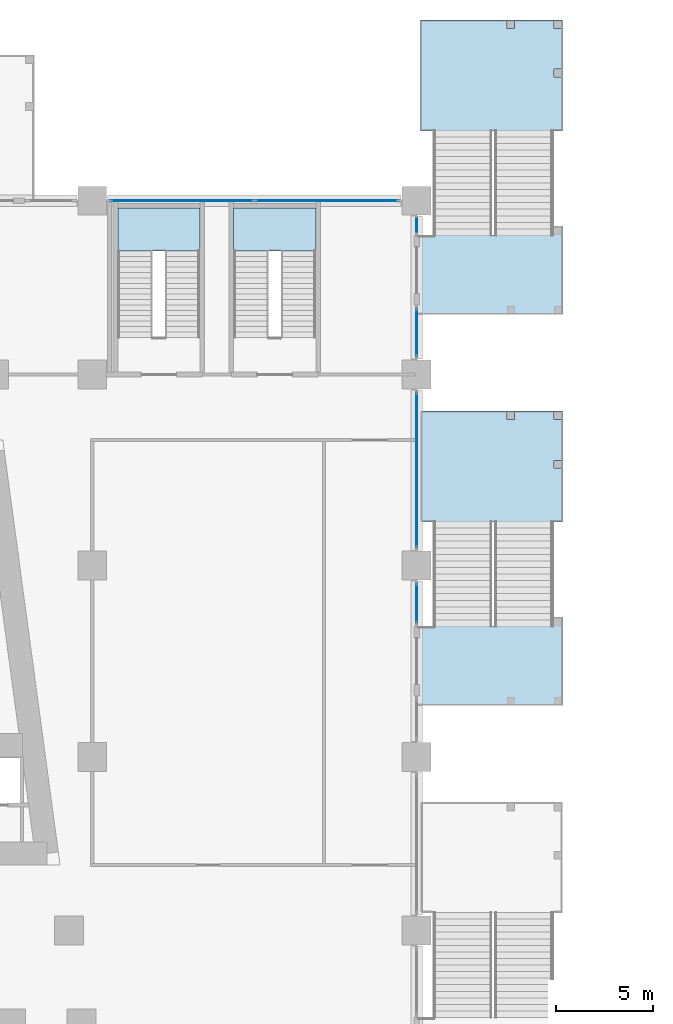
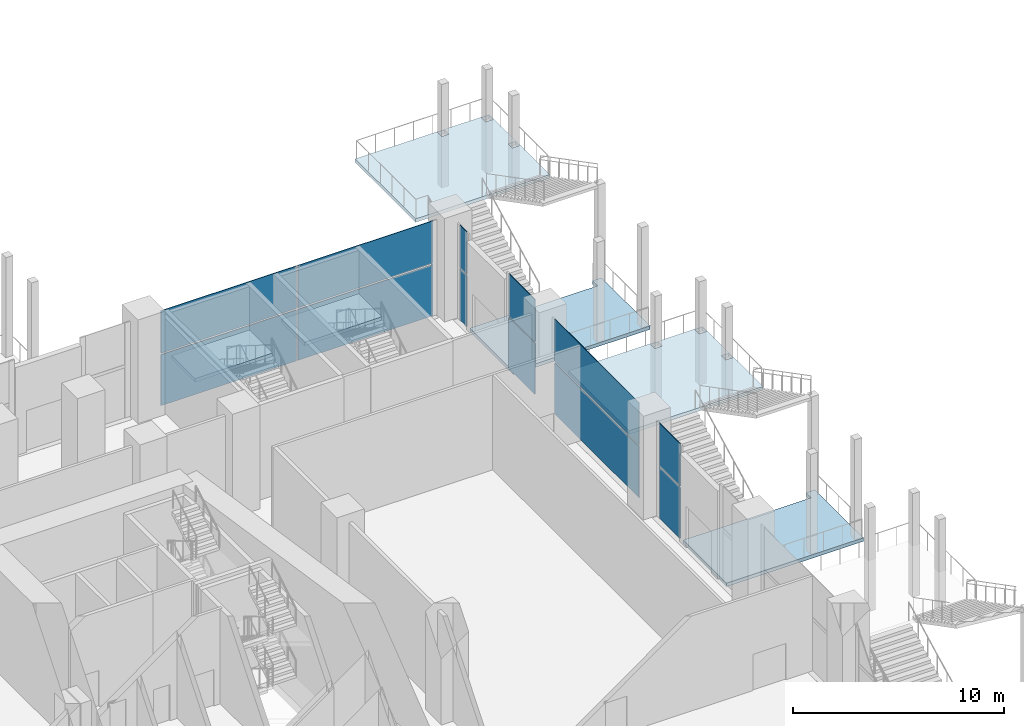
# One storey, part 20 of 49: 12 plates, 6 slabs, 9 elements without a shape of their own.
"""IFC4 building model written with IfcOpenShell, lengths in metres."""

from ifc_helpers import new_model, si_unit, direction, frame, origin, origin_2d, place, context, subcontext, project, spatial, polyline, rectangle, outline, extrude, material, layer, layer_set, type_object, element, aggregate, save


model = new_model("IFC4")

# Units and contexts
model_context = context("Model", 3, precision=1e-05, world=origin(), true_north=direction((0.0, 1.0)))
body_context = subcontext(model_context, "Body", "Model", "MODEL_VIEW")
ifc_project = project(units=[si_unit("LENGTHUNIT", "METRE"), si_unit("AREAUNIT", "SQUARE_METRE"), si_unit("VOLUMEUNIT", "CUBIC_METRE"), si_unit("PLANEANGLEUNIT", "RADIAN"), si_unit("MASSUNIT", "GRAM", prefix="KILO")], contexts=[model_context])

# Site, building, storey
site_placement = place(None, origin())
site = spatial("IfcSite", under=ifc_project, at=site_placement, CompositionType="ELEMENT")
building_placement = place(site_placement, origin())
building = spatial("IfcBuilding", under=site, at=building_placement, Name="Candeia Pilgrim Tower and Theatre", CompositionType="ELEMENT")
storey_placement = place(building_placement, frame((0.0, 0.0, 17.0)))
storey = spatial("IfcBuildingStorey", under=building, at=storey_placement, Name="L02", CompositionType="ELEMENT", Elevation=17.0)

# Curtain wall, plates
ifc_material_1 = material(Name="Aluminium framed podium glazing", Category="aluminium")
curtain_wall_type = type_object("IfcCurtainWallType", Name="CW-P curtain wall", PredefinedType="NOTDEFINED", material=ifc_material_1)
curtain_wall_1_placement = place(storey_placement, origin())
curtain_wall_1 = element("IfcCurtainWall", 1, at=curtain_wall_1_placement, inside=storey, type_object=curtain_wall_type, Name="Curtain wall CW-P L02.170", PredefinedType="NOTDEFINED")
ifc_material_2 = material(Name="Laminated low-iron glass 2 x 8 mm", Category="glass")
ifc_layer_1 = layer(ifc_material_2, 0.035888671875)
ifc_layer_set_1 = layer_set([ifc_layer_1], Name="CW-P glass panel 36")
plate_type = type_object("IfcPlateType", Name="CW-P glass panel 36", PredefinedType="CURTAIN_PANEL", material=ifc_layer_set_1)
plate_1_placement = place(storey_placement, frame((147.449951171875, 144.800048828125, 0.0), z_axis=(0.0, 0.0, 1.0), x_axis=(1.0, 0.0, 0.0)))
plate_1 = element("IfcPlate", 2, at=plate_1_placement, type_object=plate_type, Name="CW-P panel 1.1", PredefinedType="CURTAIN_PANEL", context=body_context, shape_type="SweptSolid", body=[
    extrude(rectangle(XDim=7.419921875, YDim=0.035888671875, at=origin_2d()), origin(), (0.0, 0.0, 1.0), 2.9599609375),
])
plate_2_placement = place(storey_placement, frame((147.449951171875, 144.800048828125, 3.0400390625), z_axis=(0.0, 0.0, 1.0), x_axis=(1.0, 0.0, 0.0)))
plate_2 = element("IfcPlate", 3, at=plate_2_placement, type_object=plate_type, Name="CW-P panel 1.2", PredefinedType="CURTAIN_PANEL", context=body_context, shape_type="SweptSolid", body=[
    extrude(rectangle(XDim=7.419921875, YDim=0.035888671875, at=origin_2d()), origin(), (0.0, 0.0, 1.0), 2.4599609375),
])
plate_3_placement = place(storey_placement, frame((154.949951171875, 144.800048828125, 0.0), z_axis=(0.0, 0.0, 1.0), x_axis=(1.0, 0.0, 0.0)))
plate_3 = element("IfcPlate", 4, at=plate_3_placement, type_object=plate_type, Name="CW-P panel 2.1", PredefinedType="CURTAIN_PANEL", context=body_context, shape_type="SweptSolid", body=[
    extrude(rectangle(XDim=7.419921875, YDim=0.035888671875, at=origin_2d()), origin(), (0.0, 0.0, 1.0), 2.9599609375),
])
plate_4_placement = place(storey_placement, frame((154.949951171875, 144.800048828125, 3.0400390625), z_axis=(0.0, 0.0, 1.0), x_axis=(1.0, 0.0, 0.0)))
plate_4 = element("IfcPlate", 5, at=plate_4_placement, type_object=plate_type, Name="CW-P panel 2.2", PredefinedType="CURTAIN_PANEL", context=body_context, shape_type="SweptSolid", body=[
    extrude(rectangle(XDim=7.419921875, YDim=0.035888671875, at=origin_2d()), origin(), (0.0, 0.0, 1.0), 2.4599609375),
])
aggregate(curtain_wall_1, [plate_1, plate_2, plate_3, plate_4])

curtain_wall_2_placement = place(storey_placement, origin())
curtain_wall_2 = element("IfcCurtainWall", 6, at=curtain_wall_2_placement, inside=storey, type_object=curtain_wall_type, Name="Curtain wall CW-P L02.200", PredefinedType="NOTDEFINED")
plate_5_placement = place(storey_placement, frame((159.60009765625, 143.52490234375, 0.0), z_axis=(0.0, 0.0, 1.0), x_axis=(0.0, -1.0, 0.0)))
plate_5 = element("IfcPlate", 7, at=plate_5_placement, type_object=plate_type, Name="CW-P panel 1.1", PredefinedType="CURTAIN_PANEL", context=body_context, shape_type="SweptSolid", body=[
    extrude(rectangle(XDim=0.669921875, YDim=0.035888671875, at=origin_2d()), origin(), (0.0, 0.0, 1.0), 2.9599609375),
])
plate_6_placement = place(storey_placement, frame((159.60009765625, 143.52490234375, 3.0400390625), z_axis=(0.0, 0.0, 1.0), x_axis=(0.0, -1.0, 0.0)))
plate_6 = element("IfcPlate", 8, at=plate_6_placement, type_object=plate_type, Name="CW-P panel 1.2", PredefinedType="CURTAIN_PANEL", context=body_context, shape_type="SweptSolid", body=[
    extrude(rectangle(XDim=0.669921875, YDim=0.035888671875, at=origin_2d()), origin(), (0.0, 0.0, 1.0), 2.4599609375),
])
aggregate(curtain_wall_2, [plate_5, plate_6])

curtain_wall_3_placement = place(storey_placement, origin())
curtain_wall_3 = element("IfcCurtainWall", 9, at=curtain_wall_3_placement, inside=storey, type_object=curtain_wall_type, Name="Curtain wall CW-P L02.201", PredefinedType="NOTDEFINED")
plate_7_placement = place(storey_placement, frame((159.60009765625, 137.97509765625, 0.0), z_axis=(0.0, 0.0, 1.0), x_axis=(0.0, -1.0, 0.0)))
plate_7 = element("IfcPlate", 10, at=plate_7_placement, type_object=plate_type, Name="CW-P panel 1.1", PredefinedType="CURTAIN_PANEL", context=body_context, shape_type="SweptSolid", body=[
    extrude(rectangle(XDim=2.469970703125, YDim=0.035888671875, at=origin_2d()), origin(), (0.0, 0.0, 1.0), 2.9599609375),
])
plate_8_placement = place(storey_placement, frame((159.60009765625, 137.97509765625, 3.0400390625), z_axis=(0.0, 0.0, 1.0), x_axis=(0.0, -1.0, 0.0)))
plate_8 = element("IfcPlate", 11, at=plate_8_placement, type_object=plate_type, Name="CW-P panel 1.2", PredefinedType="CURTAIN_PANEL", context=body_context, shape_type="SweptSolid", body=[
    extrude(rectangle(XDim=2.469970703125, YDim=0.035888671875, at=origin_2d()), origin(), (0.0, 0.0, 1.0), 2.4599609375),
])
aggregate(curtain_wall_3, [plate_7, plate_8])

curtain_wall_4_placement = place(storey_placement, origin())
curtain_wall_4 = element("IfcCurtainWall", 12, at=curtain_wall_4_placement, inside=storey, type_object=curtain_wall_type, Name="Curtain wall CW-P L02.210", PredefinedType="NOTDEFINED")
plate_9_placement = place(storey_placement, frame((159.60009765625, 130.85009765625, 0.0), z_axis=(0.0, 0.0, 1.0), x_axis=(0.0, -1.0, 0.0)))
plate_9 = element("IfcPlate", 13, at=plate_9_placement, type_object=plate_type, Name="CW-P panel 1.1", PredefinedType="CURTAIN_PANEL", context=body_context, shape_type="SweptSolid", body=[
    extrude(rectangle(XDim=8.02001953125, YDim=0.035888671875, at=origin_2d()), origin(), (0.0, 0.0, 1.0), 2.9599609375),
])
plate_10_placement = place(storey_placement, frame((159.60009765625, 130.85009765625, 3.0400390625), z_axis=(0.0, 0.0, 1.0), x_axis=(0.0, -1.0, 0.0)))
plate_10 = element("IfcPlate", 14, at=plate_10_placement, type_object=plate_type, Name="CW-P panel 1.2", PredefinedType="CURTAIN_PANEL", context=body_context, shape_type="SweptSolid", body=[
    extrude(rectangle(XDim=8.02001953125, YDim=0.035888671875, at=origin_2d()), origin(), (0.0, 0.0, 1.0), 2.4599609375),
])
aggregate(curtain_wall_4, [plate_9, plate_10])

curtain_wall_5_placement = place(storey_placement, origin())
curtain_wall_5 = element("IfcCurtainWall", 15, at=curtain_wall_5_placement, inside=storey, type_object=curtain_wall_type, Name="Curtain wall CW-P L02.220", PredefinedType="NOTDEFINED")
plate_11_placement = place(storey_placement, frame((159.60009765625, 123.949951171875, 0.0), z_axis=(0.0, 0.0, 1.0), x_axis=(0.0, -1.0, 0.0)))
plate_11 = element("IfcPlate", 16, at=plate_11_placement, type_object=plate_type, Name="CW-P panel 1.1", PredefinedType="CURTAIN_PANEL", context=body_context, shape_type="SweptSolid", body=[
    extrude(rectangle(XDim=2.02001953125, YDim=0.035888671875, at=origin_2d()), origin(), (0.0, 0.0, 1.0), 2.9599609375),
])
plate_12_placement = place(storey_placement, frame((159.60009765625, 123.949951171875, 3.0400390625), z_axis=(0.0, 0.0, 1.0), x_axis=(0.0, -1.0, 0.0)))
plate_12 = element("IfcPlate", 17, at=plate_12_placement, type_object=plate_type, Name="CW-P panel 1.2", PredefinedType="CURTAIN_PANEL", context=body_context, shape_type="SweptSolid", body=[
    extrude(rectangle(XDim=2.02001953125, YDim=0.035888671875, at=origin_2d()), origin(), (0.0, 0.0, 1.0), 2.4599609375),
])
aggregate(curtain_wall_5, [plate_11, plate_12])

# Slab
ifc_material_3 = material(Name="Concrete C40/50", Category="concrete")
ifc_layer_2 = layer(ifc_material_3, 0.199951171875)
ifc_layer_set_2 = layer_set([ifc_layer_2], Name="SL-EXT stair landing")
slab_type_1 = type_object("IfcSlabType", Name="SL-EXT stair landing", PredefinedType="LANDING", material=ifc_layer_set_2)
slab_1_placement = place(storey_placement, frame((0.0, 0.0, -0.199951171875)))
element("IfcSlab", 18, at=slab_1_placement, inside=storey, type_object=slab_type_1, Name="L02 External escape stair ES2 floor landing", PredefinedType="LANDING", context=body_context, shape_type="SweptSolid", body=[
    extrude(outline(polyline([(159.64990234375, 138.89990234375), (159.64990234375, 143.02001953125), (166.64990234375, 143.02001953125), (166.64990234375, 143.5), (167.14990234375, 143.5), (167.14990234375, 138.89990234375), (159.64990234375, 138.89990234375)])), origin(), (0.0, 0.0, 1.0), 0.199951171875),
])

# Stair, slab
stair_type_1 = type_object("IfcStairType", Name="ST-EXT external escape stair", PredefinedType="HALF_TURN_STAIR", material=ifc_material_3)
stair_1_placement = place(storey_placement, origin())
stair_1 = element("IfcStair", 19, at=stair_1_placement, inside=storey, type_object=stair_type_1, Name="L02 External escape stair ES2", PredefinedType="HALF_TURN_STAIR")
slab_2_placement = place(storey_placement, frame((0.0, 0.0, 2.800048828125)))
slab_2 = element("IfcSlab", 20, at=slab_2_placement, type_object=slab_type_1, Name="L02 External escape stair ES2 landing", PredefinedType="LANDING", context=body_context, shape_type="SweptSolid", body=[
    extrude(outline(polyline([(159.800048828125, 148.419921875), (159.800048828125, 154.159912109375), (167.14990234375, 154.159912109375), (167.14990234375, 148.419921875), (159.800048828125, 148.419921875)]), holes=[polyline([(166.699951171875, 151.2099609375), (167.10009765625, 151.2099609375), (167.10009765625, 151.610107421875), (166.699951171875, 151.610107421875), (166.699951171875, 151.2099609375)]), polyline([(166.699951171875, 153.7099609375), (167.10009765625, 153.7099609375), (167.10009765625, 154.110107421875), (166.699951171875, 154.110107421875), (166.699951171875, 153.7099609375)]), polyline([(164.27490234375, 153.7099609375), (164.675048828125, 153.7099609375), (164.675048828125, 154.110107421875), (164.27490234375, 154.110107421875), (164.27490234375, 153.7099609375)])]), origin(), (0.0, 0.0, 1.0), 0.199951171875),
])
aggregate(stair_1, [slab_2])

# Slab
slab_3_placement = place(storey_placement, frame((0.0, 0.0, -0.199951171875)))
element("IfcSlab", 21, at=slab_3_placement, inside=storey, type_object=slab_type_1, Name="L02 External escape stair ES14 floor landing", PredefinedType="LANDING", context=body_context, shape_type="SweptSolid", body=[
    extrude(outline(polyline([(159.64990234375, 118.64990234375), (159.64990234375, 122.77001953125), (166.64990234375, 122.77001953125), (166.64990234375, 123.25), (167.14990234375, 123.25), (167.14990234375, 118.64990234375), (159.64990234375, 118.64990234375)])), origin(), (0.0, 0.0, 1.0), 0.199951171875),
])

# Stair, slab
stair_2_placement = place(storey_placement, origin())
stair_2 = element("IfcStair", 22, at=stair_2_placement, inside=storey, type_object=stair_type_1, Name="L02 External escape stair ES14", PredefinedType="HALF_TURN_STAIR")
slab_4_placement = place(storey_placement, frame((0.0, 0.0, 2.800048828125)))
slab_4 = element("IfcSlab", 23, at=slab_4_placement, type_object=slab_type_1, Name="L02 External escape stair ES14 landing", PredefinedType="LANDING", context=body_context, shape_type="SweptSolid", body=[
    extrude(outline(polyline([(159.800048828125, 128.169921875), (159.800048828125, 133.909912109375), (167.14990234375, 133.909912109375), (167.14990234375, 128.169921875), (159.800048828125, 128.169921875)]), holes=[polyline([(166.699951171875, 130.9599609375), (167.10009765625, 130.9599609375), (167.10009765625, 131.360107421875), (166.699951171875, 131.360107421875), (166.699951171875, 130.9599609375)]), polyline([(166.699951171875, 133.4599609375), (167.10009765625, 133.4599609375), (167.10009765625, 133.860107421875), (166.699951171875, 133.860107421875), (166.699951171875, 133.4599609375)]), polyline([(164.27490234375, 133.4599609375), (164.675048828125, 133.4599609375), (164.675048828125, 133.860107421875), (164.27490234375, 133.860107421875), (164.27490234375, 133.4599609375)])]), origin(), (0.0, 0.0, 1.0), 0.199951171875),
])
aggregate(stair_2, [slab_4])

stair_type_2 = type_object("IfcStairType", Name="ST-POD dog-leg escape stair", PredefinedType="HALF_TURN_STAIR", material=ifc_material_3)
stair_3_placement = place(storey_placement, origin())
stair_3 = element("IfcStair", 24, at=stair_3_placement, inside=storey, type_object=stair_type_2, Name="L02 Escape stair PS3", PredefinedType="HALF_TURN_STAIR")
ifc_layer_3 = layer(ifc_material_3, 0.199951171875)
ifc_layer_set_3 = layer_set([ifc_layer_3], Name="SL-POD stair landing")
slab_type_2 = type_object("IfcSlabType", Name="SL-POD stair landing", PredefinedType="LANDING", material=ifc_layer_set_3)
slab_5_placement = place(storey_placement, frame((0.0, 0.0, 2.800048828125)))
slab_5 = element("IfcSlab", 25, at=slab_5_placement, type_object=slab_type_2, Name="PS3 landing 1", PredefinedType="LANDING", context=body_context, shape_type="SweptSolid", body=[
    extrude(outline(polyline([(148.375, 142.205078125), (148.375, 144.425048828125), (144.125, 144.425048828125), (144.125, 142.205078125), (148.375, 142.205078125)])), origin(), (0.0, 0.0, 1.0), 0.199951171875),
])
aggregate(stair_3, [slab_5])

stair_4_placement = place(storey_placement, origin())
stair_4 = element("IfcStair", 26, at=stair_4_placement, inside=storey, type_object=stair_type_2, Name="L02 Escape stair PS4", PredefinedType="HALF_TURN_STAIR")
slab_6_placement = place(storey_placement, frame((0.0, 0.0, 2.800048828125)))
slab_6 = element("IfcSlab", 27, at=slab_6_placement, type_object=slab_type_2, Name="PS4 landing 1", PredefinedType="LANDING", context=body_context, shape_type="SweptSolid", body=[
    extrude(outline(polyline([(154.375, 142.205078125), (154.375, 144.425048828125), (150.125, 144.425048828125), (150.125, 142.205078125), (154.375, 142.205078125)])), origin(), (0.0, 0.0, 1.0), 0.199951171875),
])
aggregate(stair_4, [slab_6])

save(model, "model.ifc")
